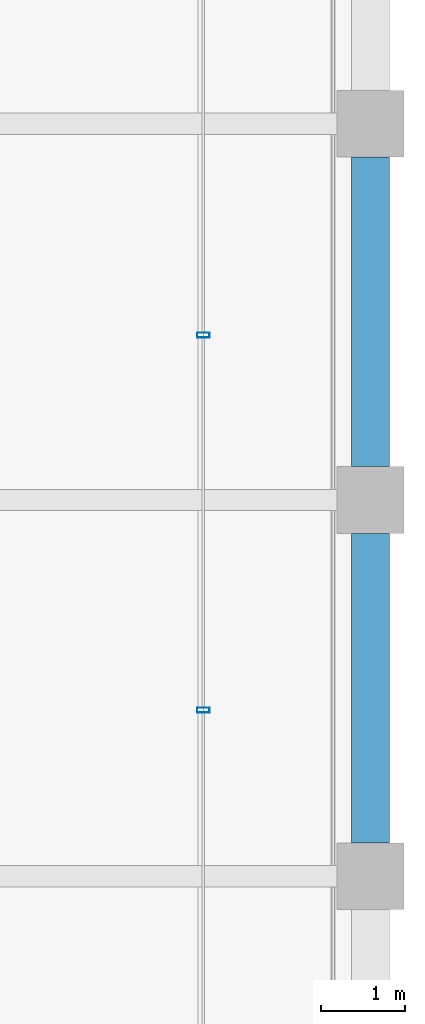
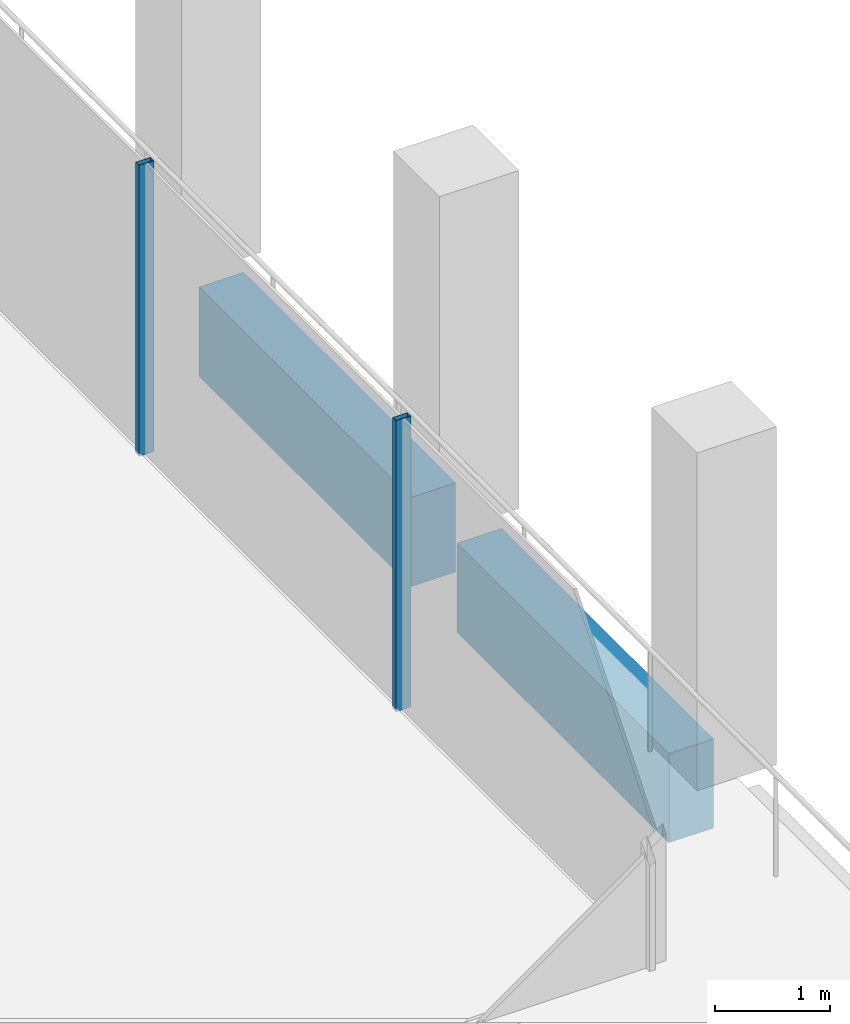
# One storey, part 15 of 30: 2 beams, 2 members, 1 element without a shape of its own.
"""IFC4 building model written with IfcOpenShell, lengths in metres."""

from ifc_helpers import new_model, si_unit, direction, frame, origin, origin_2d, place, context, subcontext, project, spatial, rectangle, hollow_rectangle, extrude, material, material_profile, profile_set, type_object, element, aggregate, save


model = new_model("IFC4")

# Units and contexts
model_context = context("Model", 3, precision=1e-05, world=origin(), true_north=direction((0.0, 1.0)))
body_context = subcontext(model_context, "Body", "Model", "MODEL_VIEW")
ifc_project = project(units=[si_unit("LENGTHUNIT", "METRE"), si_unit("AREAUNIT", "SQUARE_METRE"), si_unit("VOLUMEUNIT", "CUBIC_METRE"), si_unit("PLANEANGLEUNIT", "RADIAN"), si_unit("MASSUNIT", "GRAM", prefix="KILO")], contexts=[model_context])

# Site, building, storey
site_placement = place(None, origin())
site = spatial("IfcSite", under=ifc_project, at=site_placement, CompositionType="ELEMENT")
building_placement = place(site_placement, origin())
building = spatial("IfcBuilding", under=site, at=building_placement, Name="Altepetl Exchange Towers", CompositionType="ELEMENT")
storey_placement = place(building_placement, frame((0.0, 0.0, 217.199951171875)))
storey = spatial("IfcBuildingStorey", under=building, at=storey_placement, Name="L55", CompositionType="ELEMENT", Elevation=217.199951171875)

# Curtain wall, members
ifc_material_1 = material(Name="Aluminium 6063-T6 glazing", Category="aluminium")
curtain_wall_type = type_object("IfcCurtainWallType", Name="Loggia glazing system", PredefinedType="NOTDEFINED", material=ifc_material_1)
curtain_wall_placement = place(storey_placement, origin())
curtain_wall = element("IfcCurtainWall", 1, at=curtain_wall_placement, inside=storey, type_object=curtain_wall_type, Name="CW1 run", PredefinedType="NOTDEFINED")
ifc_material_2 = material(Name="Aluminium 6063-T6", Category="aluminium")
ifc_material_profile_1 = material_profile(ifc_material_2, hollow_rectangle(XDim=0.06005859375, YDim=0.14990234375, WallThickness=0.0029296875, at=origin_2d()), Name="Mullion 60x150 aluminium")
ifc_profile_set_1 = profile_set([ifc_material_profile_1], Name="Aluminium 6063-T6")
member_type = type_object("IfcMemberType", Name="Mullion 60x150 aluminium", PredefinedType="MULLION", material=ifc_profile_set_1)
member_1_placement = place(storey_placement, frame((70.0, 37.986083984375, 0.0), z_axis=(0.0, 0.0, 1.0), x_axis=(0.0, 1.0, 0.0)))
member_1 = element("IfcMember", 2, at=member_1_placement, type_object=member_type, Name="MU1 mullion", PredefinedType="MULLION", context=body_context, shape_type="SweptSolid", body=[
    extrude(hollow_rectangle(XDim=0.06005859375, YDim=0.14990234375, WallThickness=0.0029296875, at=origin_2d()), origin(), (0.0, 0.0, 1.0), 3.10009765625),
])
member_2_placement = place(storey_placement, frame((70.0, 42.471923828125, 0.0), z_axis=(0.0, 0.0, 1.0), x_axis=(0.0, 1.0, 0.0)))
member_2 = element("IfcMember", 3, at=member_2_placement, type_object=member_type, Name="MU1 mullion", PredefinedType="MULLION", context=body_context, shape_type="SweptSolid", body=[
    extrude(hollow_rectangle(XDim=0.06005859375, YDim=0.14990234375, WallThickness=0.0029296875, at=origin_2d()), origin(), (0.0, 0.0, 1.0), 3.10009765625),
])
aggregate(curtain_wall, [member_1, member_2])

# Beams
ifc_material_3 = material(Name="Concrete C50/60 precast with cantera amarilla facing", Category="concrete")
ifc_material_profile_2 = material_profile(ifc_material_3, rectangle(XDim=0.449951171875, YDim=0.949951171875, at=origin_2d()), Name="450 x 950")
ifc_profile_set_2 = profile_set([ifc_material_profile_2], Name="Concrete C50/60 precast with cantera amarilla facing")
beam_type = type_object("IfcBeamType", Name="Spandrel beam 450x950 cantera amarilla", PredefinedType="SPANDREL", material=ifc_profile_set_2)
for number, where, z_axis, x_axis, name in (
    (4, (72.0, 36.39990234375, -0.625), (0.0, 1.0, 0.0), (-1.0, 0.0, 0.0), "sp:A:L55:013"),
    (5, (72.0, 40.89990234375, -0.625), (0.0, 1.0, 0.0), (-1.0, 0.0, 0.0), "sp:A:L55:014"),
):
    element("IfcBeam", number, at=place(storey_placement, frame(where, z_axis=z_axis, x_axis=x_axis)), inside=storey, type_object=beam_type, Name=name, PredefinedType="SPANDREL", context=body_context, shape_type="SweptSolid", body=[
        extrude(rectangle(XDim=0.449951171875, YDim=0.949951171875, at=origin_2d()), origin(), (0.0, 0.0, 1.0), 3.7001953125),
    ])

save(model, "model.ifc")
